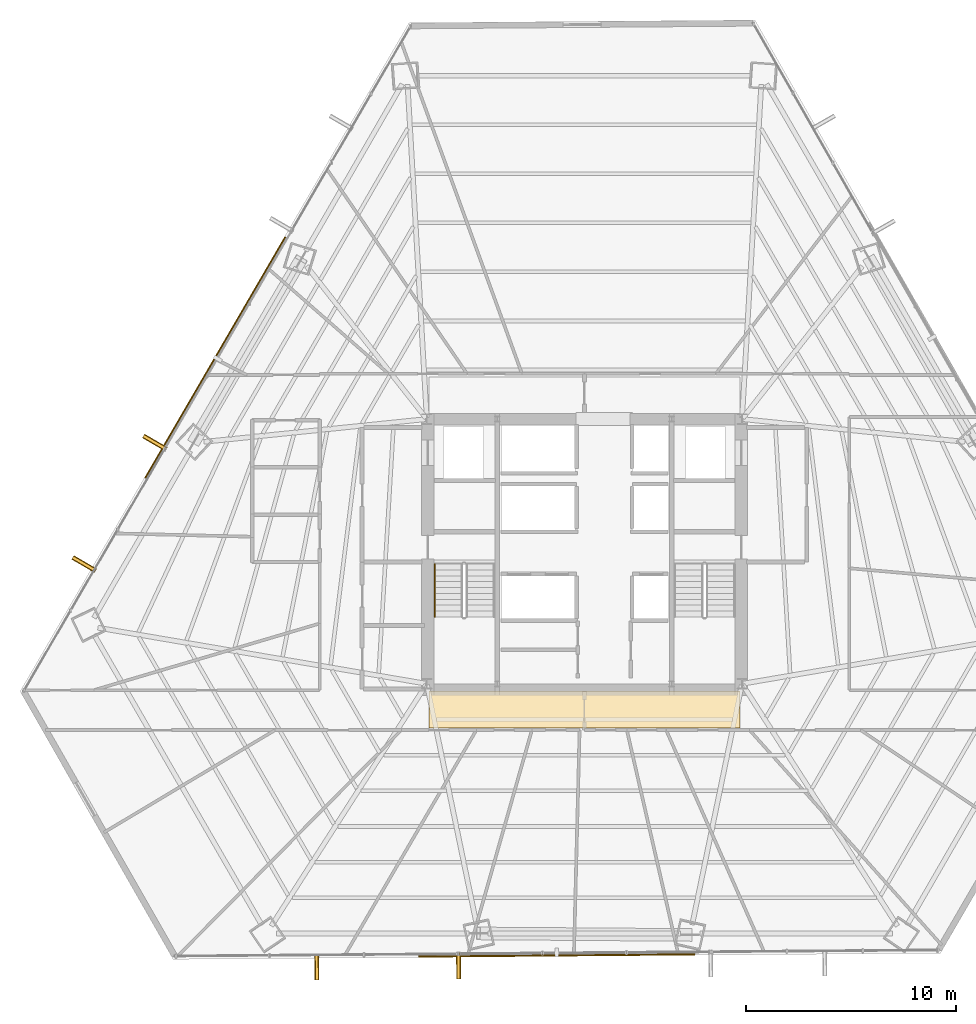
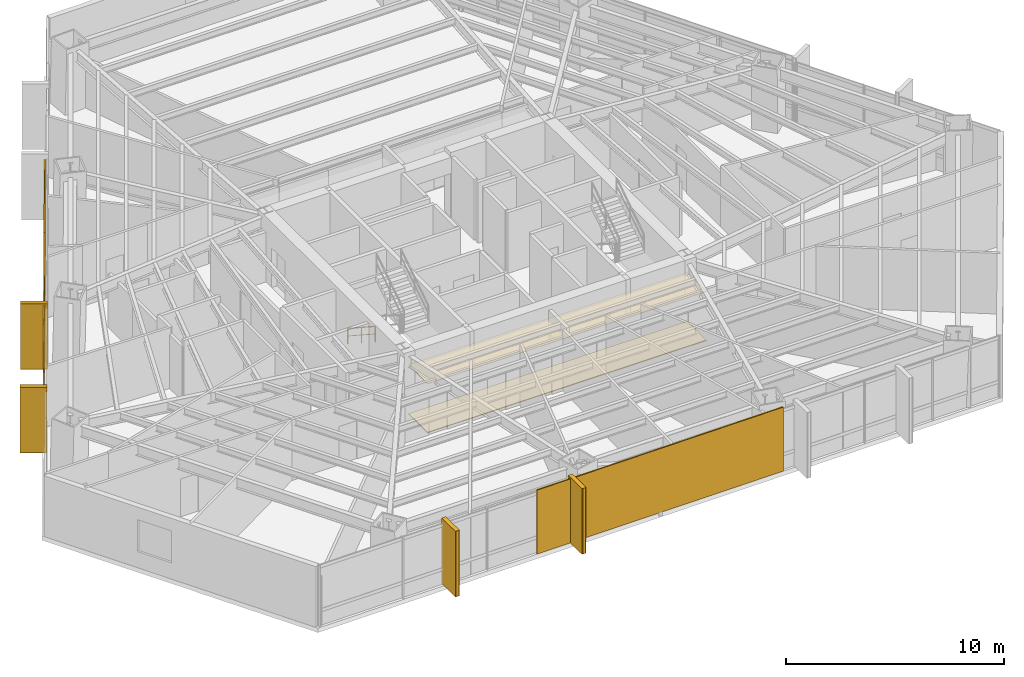
# One storey, part 34 of 36: 6 coverings, 6 shading devices, 1 railing.
"""IFC4 building model written with IfcOpenShell, lengths in metres."""

import ifcopenshell
import ifcopenshell.guid

model = None  # the IFC model being written
_history = None  # IfcOwnerHistory: only IFC2X3 demands one
_inside = {}  # id of a spatial element -> (the spatial element, [elements in it])
_under = {}  # id of a project, library or spatial element -> (it, [spatial elements below it])
_declared = {}  # id of a project -> (the project, [libraries it declares])
_typed = {}  # id of a type object -> (the type object, [elements of that type])
_made_of = {}  # id of a material, layer set ... -> (it, [elements and type objects made of it])


def new_model(schema):
    """Start an empty IFC model of exactly this schema.

    Asked for "IFC4X3", IfcOpenShell would pick the latest addendum, in which some entities
    have other attributes; the version numbers below select the first issue.
    IFC2X3 requires an IfcOwnerHistory on every rooted entity: one is made here for all.
    """
    global model, _history
    if schema == "IFC4X3":
        model = ifcopenshell.file(schema_version=(4, 3, 0, 0))
    else:
        model = ifcopenshell.file(schema=schema)
    _inside.clear()
    _under.clear()
    _declared.clear()
    _typed.clear()
    _made_of.clear()
    _history = None
    if model.schema == "IFC2X3":
        org = make("IfcOrganization", Name="unknown")
        user = make(
            "IfcPersonAndOrganization",
            ThePerson=make("IfcPerson", FamilyName="unknown"),
            TheOrganization=org,
        )
        app = make(
            "IfcApplication",
            ApplicationDeveloper=org,
            Version="unknown",
            ApplicationFullName="unknown",
            ApplicationIdentifier="unknown",
        )
        _history = make(
            "IfcOwnerHistory",
            OwningUser=user,
            OwningApplication=app,
            ChangeAction="ADDED",
            CreationDate=0,
        )
    return model


def make(cls, **values):
    """One entity of the class cls with the attributes given. An attribute that is None is left unset."""
    return model.create_entity(
        cls, **{name: value for name, value in values.items() if value is not None}
    )


def rooted(cls, **values):
    """An entity with a GlobalId (a new one), such as an element, a storey or a relation."""
    return make(cls, GlobalId=ifcopenshell.guid.new(), OwnerHistory=_history, **values)


def si_unit(unit_type, name, prefix=None):
    """IfcSIUnit, for example si_unit("LENGTHUNIT", "METRE", prefix="MILLI")."""
    return make("IfcSIUnit", UnitType=unit_type, Prefix=prefix, Name=name)


def assignment(units):
    """IfcUnitAssignment: the units of a project."""
    return None if units is None else make("IfcUnitAssignment", Units=units)


def point(xyz):
    """IfcCartesianPoint."""
    return None if xyz is None else make("IfcCartesianPoint", Coordinates=xyz)


def direction(xyz):
    """IfcDirection."""
    return None if xyz is None else make("IfcDirection", DirectionRatios=xyz)


def frame(location, z_axis=None, x_axis=None):
    """IfcAxis2Placement3D, a coordinate frame: its origin and axes. An axis left out is left unset."""
    return make(
        "IfcAxis2Placement3D",
        Location=point(location),
        Axis=direction(z_axis),
        RefDirection=direction(x_axis),
    )


def frame_2d(location, x_axis=None):
    """IfcAxis2Placement2D, a coordinate frame in the plane: its origin and x axis."""
    return make(
        "IfcAxis2Placement2D", Location=point(location), RefDirection=direction(x_axis)
    )


def origin():
    """The frame at (0, 0, 0) with its axes left unset."""
    return frame((0.0, 0.0, 0.0))


def origin_2d():
    """The frame at (0, 0) in the plane with its x axis left unset."""
    return frame_2d((0.0, 0.0))


def place(relative_to, where):
    """IfcLocalPlacement: puts the frame where relative to a parent placement (None: the world)."""
    return make(
        "IfcLocalPlacement", PlacementRelTo=relative_to, RelativePlacement=where
    )


def context(
    kind, dimensions, precision=None, world=None, true_north=None, identifier=None
):
    """IfcGeometricRepresentationContext, for example the 3D "Model" context."""
    return make(
        "IfcGeometricRepresentationContext",
        ContextIdentifier=identifier,
        ContextType=kind,
        CoordinateSpaceDimension=dimensions,
        Precision=precision,
        WorldCoordinateSystem=world,
        TrueNorth=true_north,
    )


def subcontext(parent, identifier, kind, view, scale=None):
    """IfcGeometricRepresentationSubContext, for example "Body" below "Model"."""
    return make(
        "IfcGeometricRepresentationSubContext",
        ContextIdentifier=identifier,
        ContextType=kind,
        ParentContext=parent,
        TargetScale=scale,
        TargetView=view,
    )


def project(units=None, contexts=None):
    """IfcProject with its units and contexts."""
    return rooted(
        "IfcProject",
        Name="project",
        RepresentationContexts=contexts,
        UnitsInContext=assignment(units),
    )


def spatial(cls, under=None, at=None, **own):
    """A site, building, storey or space (cls), placed at a placement, below another one or the project."""
    s = rooted(cls, ObjectPlacement=at, **own)
    if under is not None:
        _under.setdefault(under.id(), (under, []))[1].append(s)
    return s


def polyline(points):
    """IfcPolyline through the points."""
    return make("IfcPolyline", Points=[point(p) for p in points])


def profile(cls, at=None, kind="AREA", **sizes):
    """A parametric profile (cls). Its sizes go by their IFC names, for example OverallWidth=200.0."""
    return make(cls, ProfileType=kind, Position=at, **sizes)


def rectangle(**sizes):
    """IfcRectangleProfileDef."""
    return profile("IfcRectangleProfileDef", **sizes)


def outline(outer, holes=None, kind="AREA"):
    """IfcArbitraryClosedProfileDef: a profile drawn as a closed curve; with holes, ...WithVoids."""
    if holes is None:
        return make("IfcArbitraryClosedProfileDef", ProfileType=kind, OuterCurve=outer)
    return make(
        "IfcArbitraryProfileDefWithVoids",
        ProfileType=kind,
        OuterCurve=outer,
        InnerCurves=holes,
    )


def extrude(swept, where, along, depth):
    """IfcExtrudedAreaSolid: the profile swept, set in the frame where, extruded along a direction by depth."""
    return make(
        "IfcExtrudedAreaSolid",
        SweptArea=swept,
        Position=where,
        ExtrudedDirection=direction(along),
        Depth=depth,
    )


def shape(context_of_items, identifier, shape_type, items):
    """IfcShapeRepresentation: the items that make up one representation, for example the "Body"."""
    return make(
        "IfcShapeRepresentation",
        ContextOfItems=context_of_items,
        RepresentationIdentifier=identifier,
        RepresentationType=shape_type,
        Items=items,
    )


def source(mapping_origin, context_of_items, identifier, shape_type, items):
    """IfcRepresentationMap: a shape defined once, which mapped items show again and again."""
    return make(
        "IfcRepresentationMap",
        MappingOrigin=mapping_origin,
        MappedRepresentation=shape(context_of_items, identifier, shape_type, items),
    )


def transform(
    local_origin,
    x_axis=None,
    y_axis=None,
    z_axis=None,
    scale=None,
    scale2=None,
    scale3=None,
    uniform=True,
):
    """IfcCartesianTransformationOperator3D, or its non-uniform kind. x_axis, y_axis, z_axis: its Axis1, 2, 3."""
    if uniform:
        return make(
            "IfcCartesianTransformationOperator3D",
            Axis1=direction(x_axis),
            Axis2=direction(y_axis),
            LocalOrigin=point(local_origin),
            Scale=scale,
            Axis3=direction(z_axis),
        )
    return make(
        "IfcCartesianTransformationOperator3DnonUniform",
        Axis1=direction(x_axis),
        Axis2=direction(y_axis),
        LocalOrigin=point(local_origin),
        Scale=scale,
        Axis3=direction(z_axis),
        Scale2=scale2,
        Scale3=scale3,
    )


def mapped(mapping_source, mapping_target):
    """IfcMappedItem: shows the shape of a source again, moved by a transform."""
    return make(
        "IfcMappedItem", MappingSource=mapping_source, MappingTarget=mapping_target
    )


def material(Name=None, Category=None):
    """IfcMaterial."""
    return make("IfcMaterial", Name=Name, Category=Category)


def layer(
    of_material, thickness, ventilated=None, Name=None, Category=None, Priority=None
):
    """IfcMaterialLayer: one layer of a wall or slab, of a material (None: an air gap)."""
    return make(
        "IfcMaterialLayer",
        Material=of_material,
        LayerThickness=thickness,
        IsVentilated=ventilated,
        Name=Name,
        Category=Category,
        Priority=Priority,
    )


def layer_set(layers, Name=None):
    """IfcMaterialLayerSet."""
    return make("IfcMaterialLayerSet", MaterialLayers=layers, LayerSetName=Name)


def made_of(thing, what):
    """Note that an element or type object is made of a material, layer set ...; save() writes the relation."""
    if what is not None:
        _made_of.setdefault(what.id(), (what, []))[1].append(thing)
    return thing


def type_object(cls, material=None, **own):
    """A type object (cls), such as IfcWallType, which elements share."""
    return made_of(rooted(cls, **own), material)


def type_shapes(of_type, sources):
    """Give a type object the sources (RepresentationMaps) that its elements show as mapped items."""
    of_type.RepresentationMaps = sources


def element(
    cls,
    number,
    at=None,
    inside=None,
    cuts=None,
    type_object=None,
    material=None,
    context=None,
    identifier="Body",
    shape_type=None,
    held_by="IfcProductDefinitionShape",
    body=None,
    shapes=None,
    **own,
):
    """One element of the class cls, such as IfcWall. Its Tag is "e" and its number.

    at: its placement. inside: the storey or other place that contains it. cuts: it is an
    opening in that element (IfcRelVoidsElement). A single representation is given by context,
    identifier, shape_type and body (its items); several are given by shapes. held_by: the class
    of the entity that holds the representations. save() writes the other relations.
    """
    e = rooted(cls, Tag="e%d" % number, ObjectPlacement=at, **own)
    if body is not None:
        shapes = [shape(context, identifier, shape_type, body)]
    if shapes is not None:
        e.Representation = make(held_by, Representations=shapes)
    if inside is not None:
        _inside.setdefault(inside.id(), (inside, []))[1].append(e)
    if cuts is not None:
        rooted(
            "IfcRelVoidsElement", RelatingBuildingElement=cuts, RelatedOpeningElement=e
        )
    if type_object is not None:
        _typed.setdefault(type_object.id(), (type_object, []))[1].append(e)
    return made_of(e, material)


def aggregate(whole, parts):
    """IfcRelAggregates: a whole, such as a stair, and the parts it consists of."""
    return rooted("IfcRelAggregates", RelatingObject=whole, RelatedObjects=parts)


def save(model, path):
    """Write the relations noted so far, then the file.

    IfcRelAggregates (storeys below a building ...), IfcRelContainedInSpatialStructure (elements
    in a storey), IfcRelDefinesByType, IfcRelAssociatesMaterial and IfcRelDeclares: one each for
    every whole, place, type object, material and project.
    """
    for whole, parts in _under.values():
        aggregate(whole, parts)
    for where, things in _inside.values():
        rooted(
            "IfcRelContainedInSpatialStructure",
            RelatedElements=things,
            RelatingStructure=where,
        )
    for kind, things in _typed.values():
        rooted("IfcRelDefinesByType", RelatedObjects=things, RelatingType=kind)
    for what, things in _made_of.values():
        rooted("IfcRelAssociatesMaterial", RelatedObjects=things, RelatingMaterial=what)
    for by, libraries in _declared.values():
        rooted("IfcRelDeclares", RelatingContext=by, RelatedDefinitions=libraries)
    model.write(path)


model = new_model("IFC4")

# Units and contexts
model_context = context("Model", 3, precision=1e-05, world=origin(), true_north=direction((0.0, 1.0)))
body_context = subcontext(model_context, "Body", "Model", "MODEL_VIEW")
ifc_project = project(units=[si_unit("LENGTHUNIT", "METRE"), si_unit("AREAUNIT", "SQUARE_METRE"), si_unit("VOLUMEUNIT", "CUBIC_METRE"), si_unit("PLANEANGLEUNIT", "RADIAN"), si_unit("MASSUNIT", "GRAM", prefix="KILO")], contexts=[model_context])

# Site, building, storey
site_placement = place(None, origin())
site = spatial("IfcSite", under=ifc_project, at=site_placement, CompositionType="ELEMENT")
building_placement = place(site_placement, origin())
building = spatial("IfcBuilding", under=site, at=building_placement, Name="Caelisora Broadcast Tower", CompositionType="ELEMENT")
storey_placement = place(building_placement, frame((0.0, 0.0, 60.449951171875)))
storey = spatial("IfcBuildingStorey", under=building, at=storey_placement, Name="L15", CompositionType="ELEMENT", Elevation=60.449951171875)

# Coverings
ifc_material_1 = material(Name="Perforated Mineral-Fibre Acoustic Ceiling Tile", Category="gypsum")
ifc_layer_1 = layer(ifc_material_1, 0.034912109375, Name="Perforated Mineral-Fibre Acoustic Ceiling Tile")
ifc_layer_set_1 = layer_set([ifc_layer_1], Name="Perforated Mineral-Fibre Acoustic Ceiling Tile")
covering_type_1 = type_object("IfcCoveringType", Name="CE-1", PredefinedType="CEILING", material=ifc_layer_set_1)
covering_1_placement = place(storey_placement, frame((0.0, 0.0, 2.75)))
element("IfcCovering", 1, at=covering_1_placement, inside=storey, type_object=covering_type_1, Name="L15 acoustic corridor ceiling CE-1 (S)", PredefinedType="CEILING", context=body_context, shape_type="SweptSolid", body=[
    extrude(outline(polyline([(30.60009765625, 15.300048828125), (45.39990234375, 15.300048828125), (45.39990234375, 17.050048828125), (30.60009765625, 17.050048828125), (30.60009765625, 15.300048828125)])), origin(), (0.0, 0.0, 1.0), 0.03515625),
])
ifc_material_2 = material(Name="Anti-Static Broadcast Raised Access Floor Panel", Category="steel")
ifc_layer_2 = layer(ifc_material_2, 0.044921875, Name="Anti-Static Broadcast Raised Access Floor Panel")
ifc_layer_set_2 = layer_set([ifc_layer_2], Name="Anti-Static Broadcast Raised Access Floor Panel")
covering_type_2 = type_object("IfcCoveringType", Name="FL-1", PredefinedType="FLOORING", material=ifc_layer_set_2)
covering_2_placement = place(storey_placement, origin())
element("IfcCovering", 2, at=covering_2_placement, inside=storey, type_object=covering_type_2, Name="L15 broadcast raised access floor FL-1 (S)", PredefinedType="FLOORING", context=body_context, shape_type="SweptSolid", body=[
    extrude(outline(polyline([(30.60009765625, 15.300048828125), (45.39990234375, 15.300048828125), (45.39990234375, 17.050048828125), (30.60009765625, 17.050048828125), (30.60009765625, 15.300048828125)])), origin(), (0.0, 0.0, 1.0), 0.045166015625),
])

# Railing
ifc_material_3 = material(Name="Stainless Steel Grade 316 Tubular Handrail", Category="steel")
ifc_layer_3 = layer(ifc_material_3, 0.048095703125, Name="Stainless Steel Grade 316 Tubular Handrail")
ifc_layer_set_3 = layer_set([ifc_layer_3], Name="Stainless Steel Grade 316 Tubular Handrail")
railing_type = type_object("IfcRailingType", Name="HR-1", PredefinedType="HANDRAIL", material=ifc_layer_set_3)
railing_placement = place(storey_placement, frame((30.8701171875, 23.10009765625, 0.1826171875)))
element("IfcRailing", 3, at=railing_placement, inside=storey, type_object=railing_type, Name="L15 ST-1 stair handrail 1", PredefinedType="HANDRAIL", context=body_context, shape_type="SweptSolid", body=[
    extrude(rectangle(XDim=0.048095703125, YDim=0.048095703125, at=origin_2d()), frame((0.0, 0.0, 0.8759765625), z_axis=(0.0, -0.837786554691, 0.545997883492), x_axis=(1.0, 0.0, 0.0)), (0.0, 0.0, 1.0), 3.008056640625),
    extrude(rectangle(XDim=0.03125, YDim=0.03125, at=origin_2d()), frame((0.0, 0.0, 0.449951171875), z_axis=(0.0, -0.837786554691, 0.545997883492), x_axis=(1.0, 0.0, 0.0)), (0.0, 0.0, 1.0), 3.008056640625),
    extrude(rectangle(XDim=0.0419921875, YDim=0.0419921875, at=origin_2d()), origin(), (0.0, 0.0, 1.0), 0.851806640625),
    extrude(rectangle(XDim=0.0419921875, YDim=0.0419921875, at=origin_2d()), frame((0.0, -1.260009765625, 0.8212890625)), (0.0, 0.0, 1.0), 0.851806640625),
    extrude(rectangle(XDim=0.0419921875, YDim=0.0419921875, at=origin_2d()), frame((0.0, -2.52001953125, 1.642333984375)), (0.0, 0.0, 1.0), 0.851806640625),
])

# Coverings
ifc_material_4 = material(Name="Kiln-Fired Terracotta Spandrel Rainscreen Cladding", Category="ceramic")
ifc_layer_4 = layer(ifc_material_4, 0.044921875, Name="Kiln-Fired Terracotta Spandrel Rainscreen Cladding")
ifc_layer_set_4 = layer_set([ifc_layer_4], Name="Kiln-Fired Terracotta Spandrel Rainscreen Cladding")
covering_type_3 = type_object("IfcCoveringType", Name="CL-1", PredefinedType="CLADDING", material=ifc_layer_set_4)
shared_shape_1 = source(origin(), body_context, "Body", "SweptSolid", [
    extrude(rectangle(XDim=0.219970703125, YDim=1.25, at=origin_2d()), origin(), (0.0, 0.0, 1.0), 3.68994140625),
])
type_shapes(covering_type_3, [shared_shape_1])
for number, where, z_axis, x_axis, name in (
    (4, (32.01171875, 3.986328125, -0.02001953125), (0.0, 0.0, 1.0), (-0.99996777165, -0.00802842831, 0.0), "L15 vertical solar fin cladding #2-3"),
    (5, (25.26416015625, 3.9326171875, -0.02001953125), (0.0, 0.0, 1.0), (-0.99996777165, -0.00802842831, 0.0), "L15 vertical solar fin cladding #2-4"),
    (6, (14.19384765625, 23.1005859375, -0.02001953125), (0.0, 0.0, 1.0), (0.50286909456, 0.864362582332, 0.0), "L15 vertical solar fin cladding #3-1"),
    (7, (17.556884765625, 28.880859375, -0.02001953125), (0.0, 0.0, 1.0), (0.50286909456, 0.864362582332, 0.0), "L15 vertical solar fin cladding #3-2"),
):
    element("IfcCovering", number, at=place(storey_placement, frame(where, z_axis=z_axis, x_axis=x_axis)), inside=storey, type_object=covering_type_3, Name=name, PredefinedType="CLADDING", context=body_context, shape_type="MappedRepresentation", body=[
        mapped(shared_shape_1, transform((0.0, 0.0, 0.0), scale=1.0)),
    ])

# Shading devices
ifc_material_5 = material(Name="Extruded Terracotta Flaring Colonnade Fin", Category="ceramic")
ifc_layer_5 = layer(ifc_material_5, 0.139892578125, Name="Extruded Terracotta Flaring Colonnade Fin")
ifc_layer_set_5 = layer_set([ifc_layer_5], Name="Extruded Terracotta Flaring Colonnade Fin")
shading_device_type_1 = type_object("IfcShadingDeviceType", Name="FN-1", PredefinedType="USERDEFINED", material=ifc_layer_set_5)
shared_shape_2 = source(origin(), body_context, "Body", "SweptSolid", [
    extrude(rectangle(XDim=0.139892578125, YDim=1.25, at=origin_2d()), origin(), (0.0, 0.0, 1.0), 3.669921875),
])
type_shapes(shading_device_type_1, [shared_shape_2])
for number, where, z_axis, x_axis, name in (
    (8, (32.01171875, 3.986328125, -0.010009765625), (0.0, 0.0, 1.0), (-0.99996777165, -0.00802842831, 0.0), "L15 vertical terracotta fin #2-3"),
    (9, (25.26416015625, 3.9326171875, -0.010009765625), (0.0, 0.0, 1.0), (-0.99996777165, -0.00802842831, 0.0), "L15 vertical terracotta fin #2-4"),
    (10, (14.19384765625, 23.1005859375, -0.010009765625), (0.0, 0.0, 1.0), (0.50286909456, 0.864362582332, 0.0), "L15 vertical terracotta fin #3-1"),
    (11, (17.556884765625, 28.880859375, -0.010009765625), (0.0, 0.0, 1.0), (0.50286909456, 0.864362582332, 0.0), "L15 vertical terracotta fin #3-2"),
):
    element("IfcShadingDevice", number, at=place(storey_placement, frame(where, z_axis=z_axis, x_axis=x_axis)), inside=storey, type_object=shading_device_type_1, Name=name, ObjectType="FIN", PredefinedType="USERDEFINED", context=body_context, shape_type="MappedRepresentation", body=[
        mapped(shared_shape_2, transform((0.0, 0.0, 0.0), scale=1.0)),
    ])
ifc_material_6 = material(Name="Perforated Glazed Terracotta Baguette Solar Screen", Category="ceramic")
ifc_layer_6 = layer(ifc_material_6, 0.06494140625, Name="Perforated Glazed Terracotta Baguette Solar Screen")
ifc_layer_set_6 = layer_set([ifc_layer_6], Name="Perforated Glazed Terracotta Baguette Solar Screen")
shading_device_type_2 = type_object("IfcShadingDeviceType", Name="SS-1", PredefinedType="USERDEFINED", material=ifc_layer_set_6)
shared_shape_3 = source(origin(), body_context, "Body", "SweptSolid", [
    extrude(rectangle(XDim=13.251953125, YDim=0.06494140625, at=origin_2d()), origin(), (0.0, 0.0, 1.0), 3.590087890625),
])
shading_device_1_placement = place(storey_placement, frame((20.4326171875, 32.928955078125, 0.0), z_axis=(0.0, 0.0, 1.0), x_axis=(-0.50286909456, -0.864362582332, 0.0)))
element("IfcShadingDevice", 12, at=shading_device_1_placement, inside=storey, type_object=shading_device_type_2, Name="L15 perforated terracotta solar screen #1", ObjectType="SOLAR SCREEN", PredefinedType="USERDEFINED", context=body_context, shape_type="MappedRepresentation", body=[
    mapped(shared_shape_3, transform((0.0, 0.0, 0.0), scale=1.0)),
])
shared_shape_4 = source(origin(), body_context, "Body", "SweptSolid", [
    extrude(rectangle(XDim=13.14794921875, YDim=0.06494140625, at=origin_2d()), origin(), (0.0, 0.0, 1.0), 3.590087890625),
])
type_shapes(shading_device_type_2, [shared_shape_3, shared_shape_4])
shading_device_2_placement = place(storey_placement, frame((36.685302734375, 4.473388671875, 0.0), z_axis=(0.0, 0.0, 1.0), x_axis=(0.99996777165, 0.00802842831, 0.0)))
element("IfcShadingDevice", 13, at=shading_device_2_placement, inside=storey, type_object=shading_device_type_2, Name="L15 perforated terracotta solar screen #2", ObjectType="SOLAR SCREEN", PredefinedType="USERDEFINED", context=body_context, shape_type="MappedRepresentation", body=[
    mapped(shared_shape_4, transform((0.0, 0.0, 0.0), scale=1.0)),
])

save(model, "model.ifc")
